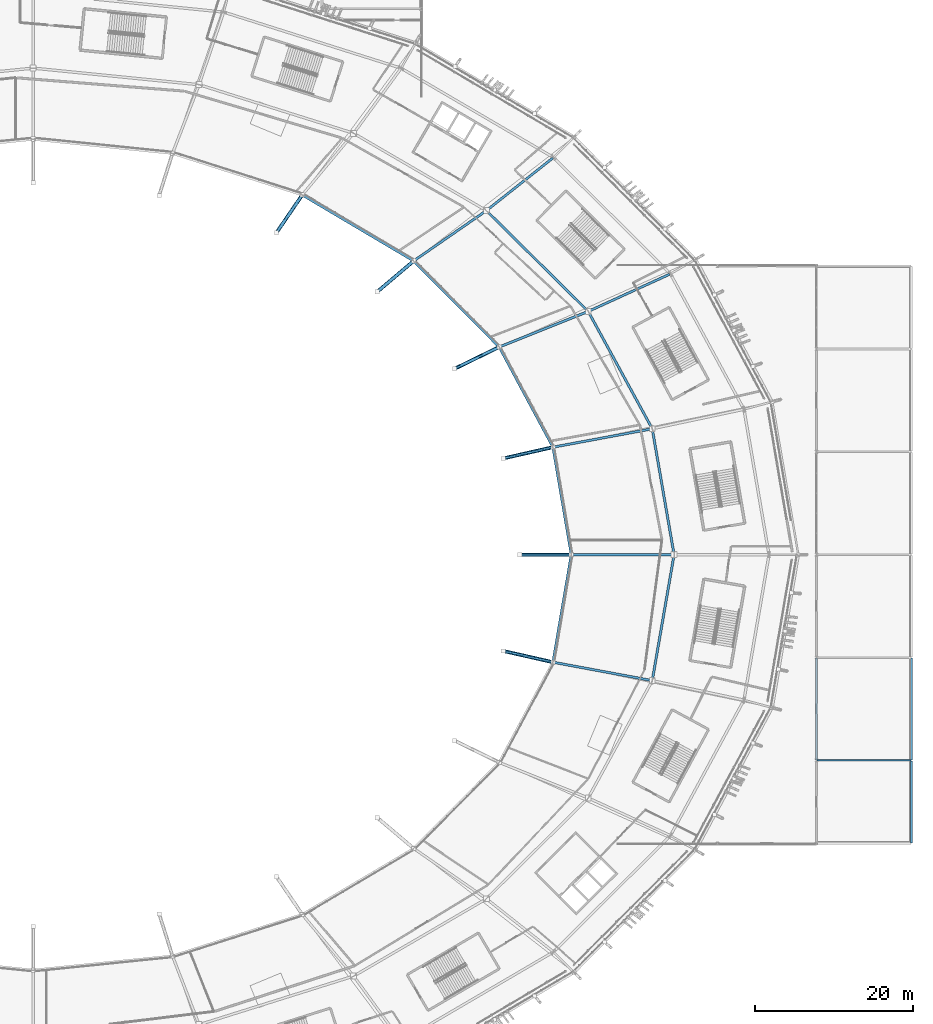
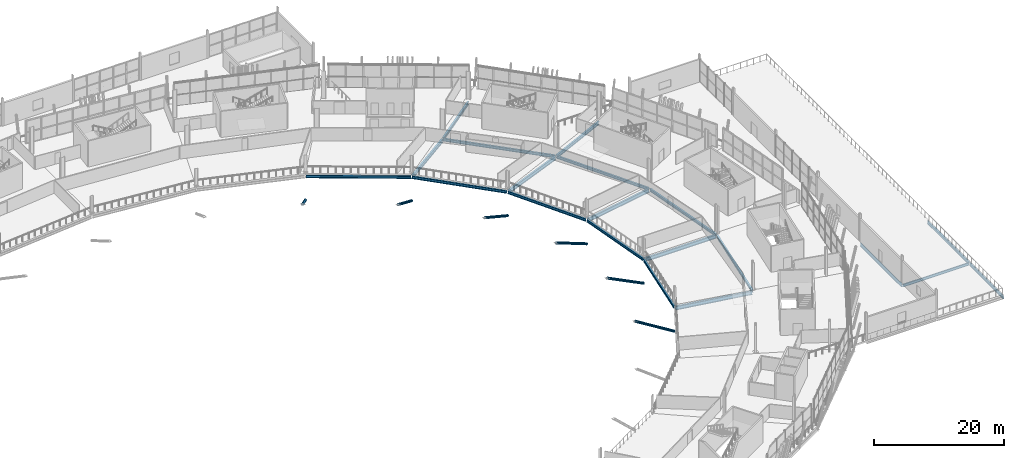
# One storey, part 57 of 168: 20 beams, 6 members.
"""IFC4 building model written with IfcOpenShell, lengths in metres."""

from ifc_helpers import new_model, si_unit, direction, frame, origin, origin_2d, place, context, subcontext, project, spatial, hollow_circle, i_section, extrude, material, material_profile, profile_set, type_object, element, save


model = new_model("IFC4")

# Units and contexts
model_context = context("Model", 3, precision=1e-05, world=origin(), true_north=direction((0.0, 1.0)))
body_context = subcontext(model_context, "Body", "Model", "MODEL_VIEW")
ifc_project = project(units=[si_unit("LENGTHUNIT", "METRE"), si_unit("AREAUNIT", "SQUARE_METRE"), si_unit("VOLUMEUNIT", "CUBIC_METRE"), si_unit("PLANEANGLEUNIT", "RADIAN"), si_unit("MASSUNIT", "GRAM", prefix="KILO")], contexts=[model_context])

# Site, building, storey
site_placement = place(None, origin())
site = spatial("IfcSite", under=ifc_project, at=site_placement, CompositionType="ELEMENT")
building_placement = place(site_placement, origin())
building = spatial("IfcBuilding", under=site, at=building_placement, Name="Zlatoyarsky Gate Stadium", CompositionType="ELEMENT")
storey_placement = place(building_placement, frame((0.0, 0.0, 15.60009765625)))
storey = spatial("IfcBuildingStorey", under=building, at=storey_placement, Name="L03", CompositionType="ELEMENT", Elevation=15.60009765625)

# Members
ifc_material = material(Name="Steel S355", Category="steel")
ifc_material_profile_1 = material_profile(ifc_material, hollow_circle(Radius=0.228515625, WallThickness=0.02490234375, at=origin_2d()), Name="CHS 457X25")
ifc_profile_set_1 = profile_set([ifc_material_profile_1], Name="Steel S355")
member_type = type_object("IfcMemberType", Name="STEEL BACKSPAN TIE STRUT CHS 457X25", PredefinedType="STRUT", material=ifc_profile_set_1)
member_1_placement = place(storey_placement, frame((179.0, 80.0, -5.0), z_axis=(-0.894427191, 0.0, 0.4472135955), x_axis=(0.0, -1.0, 0.0)))
element("IfcMember", 1, at=member_1_placement, inside=storey, type_object=member_type, Name="Upper tier cantilever strut 00", PredefinedType="STRUT", context=body_context, shape_type="SweptSolid", body=[
    extrude(hollow_circle(Radius=0.228515625, WallThickness=0.02490234375, at=origin_2d()), origin(), (0.0, 0.0, 1.0), 7.267333984375),
])
member_2_placement = place(storey_placement, frame((176.68310546875, 93.587890625, -5.0), z_axis=(-0.870615032225, -0.197359267356, 0.450642635857), x_axis=(0.221080190505, -0.97525563283, 0.0)))
element("IfcMember", 2, at=member_2_placement, inside=storey, type_object=member_type, Name="Upper tier cantilever strut 01", PredefinedType="STRUT", context=body_context, shape_type="SweptSolid", body=[
    extrude(hollow_circle(Radius=0.228515625, WallThickness=0.02490234375, at=origin_2d()), origin(), (0.0, 0.0, 1.0), 7.2119140625),
])
member_3_placement = place(storey_placement, frame((169.8896484375, 106.25, -5.0), z_axis=(-0.797580275867, -0.389640639605, 0.46048439226), x_axis=(0.438948714008, -0.898512118154, 0.0)))
element("IfcMember", 3, at=member_3_placement, inside=storey, type_object=member_type, Name="Upper tier cantilever strut 02", PredefinedType="STRUT", context=body_context, shape_type="SweptSolid", body=[
    extrude(hollow_circle(Radius=0.228515625, WallThickness=0.02490234375, at=origin_2d()), origin(), (0.0, 0.0, 1.0), 7.057861328125),
])
member_4_placement = place(storey_placement, frame((159.083251953125, 117.123046875, -5.0), z_axis=(-0.671760825652, -0.568423985586, 0.475006911244), x_axis=(0.645949512336, -0.763380133035, 0.0)))
element("IfcMember", 4, at=member_4_placement, inside=storey, type_object=member_type, Name="Upper tier cantilever strut 03", PredefinedType="STRUT", context=body_context, shape_type="SweptSolid", body=[
    extrude(hollow_circle(Radius=0.228515625, WallThickness=0.02490234375, at=origin_2d()), origin(), (0.0, 0.0, 1.0), 6.842041015625),
])
member_5_placement = place(storey_placement, frame((145.0, 125.46630859375, -5.0), z_axis=(-0.491000881553, -0.719608413394, 0.491000881553), x_axis=(0.826035604604, -0.563617937903, 0.0)))
element("IfcMember", 5, at=member_5_placement, inside=storey, type_object=member_type, Name="Upper tier cantilever strut 04", PredefinedType="STRUT", context=body_context, shape_type="SweptSolid", body=[
    extrude(hollow_circle(Radius=0.228515625, WallThickness=0.02490234375, at=origin_2d()), origin(), (0.0, 0.0, 1.0), 6.619140625),
])
member_6_placement = place(storey_placement, frame((176.68310546875, 66.412109375, -5.0), z_axis=(-0.870615032225, 0.197359267356, 0.450642635857), x_axis=(-0.221080190505, -0.97525563283, 0.0)))
element("IfcMember", 6, at=member_6_placement, inside=storey, type_object=member_type, Name="Upper tier cantilever strut 23", PredefinedType="STRUT", context=body_context, shape_type="SweptSolid", body=[
    extrude(hollow_circle(Radius=0.228515625, WallThickness=0.02490234375, at=origin_2d()), origin(), (0.0, 0.0, 1.0), 7.2119140625),
])

# Beams
ifc_material_profile_2 = material_profile(ifc_material, i_section(OverallWidth=0.199951171875, OverallDepth=0.5, WebThickness=0.01025390625, FlangeThickness=0.01611328125, FilletRadius=0.02099609375, at=origin_2d()), Name="IPE 500")
ifc_profile_set_2 = profile_set([ifc_material_profile_2], Name="Steel S355")
beam_type_1 = type_object("IfcBeamType", Name="STEEL FLOOR BEAM IPE 500", PredefinedType="BEAM", material=ifc_profile_set_2)
beam_1_placement = place(storey_placement, frame((210.080078125, 54.0, -0.570068359375), z_axis=(1.0, 0.0, 0.0), x_axis=(0.0, 1.0, 0.0)))
element("IfcBeam", 7, at=beam_1_placement, inside=storey, type_object=beam_type_1, Name="Beam B-IPE500 BM-L03-WGX-18-F", PredefinedType="BEAM", context=body_context, shape_type="SweptSolid", body=[
    extrude(i_section(OverallWidth=0.199951171875, OverallDepth=0.5, WebThickness=0.01025390625, FlangeThickness=0.01611328125, FilletRadius=0.02099609375, at=origin_2d()), origin(), (0.0, 0.0, 1.0), 11.83984375),
])
ifc_material_profile_3 = material_profile(ifc_material, i_section(OverallWidth=0.2099609375, OverallDepth=0.550048828125, WebThickness=0.010986328125, FlangeThickness=0.01708984375, FilletRadius=0.02392578125, at=origin_2d()), Name="IPE 550")
ifc_profile_set_3 = profile_set([ifc_material_profile_3], Name="Steel S355")
beam_type_2 = type_object("IfcBeamType", Name="STEEL FLOOR BEAM IPE 550", PredefinedType="BEAM", material=ifc_profile_set_3)
beam_2_placement = place(storey_placement, frame((210.0, 54.080078125, -0.59521484375), z_axis=(0.0, 1.0, 0.0), x_axis=(-1.0, 0.0, 0.0)))
element("IfcBeam", 8, at=beam_2_placement, inside=storey, type_object=beam_type_2, Name="Beam B-IPE550 BM-L03-WGY-18-F", PredefinedType="BEAM", context=body_context, shape_type="SweptSolid", body=[
    extrude(i_section(OverallWidth=0.2099609375, OverallDepth=0.550048828125, WebThickness=0.010986328125, FlangeThickness=0.01708984375, FilletRadius=0.02392578125, at=origin_2d()), origin(), (0.0, 0.0, 1.0), 12.83984375),
])
beam_3_placement = place(storey_placement, frame((222.0, 43.580078125, -0.59521484375), z_axis=(0.0, 1.0, 0.0), x_axis=(-1.0, 0.0, 0.0)))
element("IfcBeam", 9, at=beam_3_placement, inside=storey, type_object=beam_type_2, Name="Beam B-IPE550 BM-L03-WGY-19-E", PredefinedType="BEAM", context=body_context, shape_type="SweptSolid", body=[
    extrude(i_section(OverallWidth=0.2099609375, OverallDepth=0.550048828125, WebThickness=0.010986328125, FlangeThickness=0.01708984375, FilletRadius=0.02392578125, at=origin_2d()), origin(), (0.0, 0.0, 1.0), 10.33984375),
])
beam_4_placement = place(storey_placement, frame((222.0, 54.080078125, -0.59521484375), z_axis=(0.0, 1.0, 0.0), x_axis=(-1.0, 0.0, 0.0)))
element("IfcBeam", 10, at=beam_4_placement, inside=storey, type_object=beam_type_2, Name="Beam B-IPE550 BM-L03-WGY-19-F", PredefinedType="BEAM", context=body_context, shape_type="SweptSolid", body=[
    extrude(i_section(OverallWidth=0.2099609375, OverallDepth=0.550048828125, WebThickness=0.010986328125, FlangeThickness=0.01708984375, FilletRadius=0.02392578125, at=origin_2d()), origin(), (0.0, 0.0, 1.0), 12.83984375),
])
ifc_material_profile_4 = material_profile(ifc_material, i_section(OverallWidth=0.300048828125, OverallDepth=0.5, WebThickness=0.014404296875, FlangeThickness=0.028076171875, FilletRadius=0.027099609375, at=origin_2d()), Name="HEB 500")
ifc_profile_set_4 = profile_set([ifc_material_profile_4], Name="Steel S355")
beam_type_3 = type_object("IfcBeamType", Name="STEEL PRIMARY GIRDER HEB 500", PredefinedType="BEAM", material=ifc_profile_set_4)
beam_5_placement = place(storey_placement, frame((178.979736328125, 80.118408203125, -0.530029296875), z_axis=(-0.168089694981, 0.985771705032, 0.0), x_axis=(-0.985771705032, -0.168089694981, 0.0)))
element("IfcBeam", 11, at=beam_5_placement, inside=storey, type_object=beam_type_3, Name="Beam G-HEB500 BM-L03-CRA-00", PredefinedType="BEAM", context=body_context, shape_type="SweptSolid", body=[
    extrude(i_section(OverallWidth=0.300048828125, OverallDepth=0.5, WebThickness=0.014404296875, FlangeThickness=0.028076171875, FilletRadius=0.027099609375, at=origin_2d()), origin(), (0.0, 0.0, 1.0), 13.5439453125),
])
beam_6_placement = place(storey_placement, frame((191.9794921875, 80.1181640625, -0.530029296875), z_axis=(-0.170843315562, 0.985298209441, 0.0), x_axis=(-0.985298209441, -0.170843315562, 0.0)))
element("IfcBeam", 12, at=beam_6_placement, inside=storey, type_object=beam_type_3, Name="Beam G-HEB500 BM-L03-CRB-00", PredefinedType="BEAM", context=body_context, shape_type="SweptSolid", body=[
    extrude(i_section(OverallWidth=0.300048828125, OverallDepth=0.5, WebThickness=0.014404296875, FlangeThickness=0.028076171875, FilletRadius=0.027099609375, at=origin_2d()), origin(), (0.0, 0.0, 1.0), 15.9150390625),
])
beam_7_placement = place(storey_placement, frame((176.626220703125, 93.693603515625, -0.530029296875), z_axis=(-0.472766984781, 0.881187481812, 0.0), x_axis=(-0.881187481812, -0.472766984781, 0.0)))
element("IfcBeam", 13, at=beam_7_placement, inside=storey, type_object=beam_type_3, Name="Beam G-HEB500 BM-L03-CRA-01", PredefinedType="BEAM", context=body_context, shape_type="SweptSolid", body=[
    extrude(i_section(OverallWidth=0.300048828125, OverallDepth=0.5, WebThickness=0.014404296875, FlangeThickness=0.028076171875, FilletRadius=0.027099609375, at=origin_2d()), origin(), (0.0, 0.0, 1.0), 14.12939453125),
])
beam_8_placement = place(storey_placement, frame((189.1826171875, 96.022705078125, -0.530029296875), z_axis=(-0.478915800408, 0.877860840976, 0.0), x_axis=(-0.877860840976, -0.478915800408, 0.0)))
element("IfcBeam", 14, at=beam_8_placement, inside=storey, type_object=beam_type_3, Name="Beam G-HEB500 BM-L03-CRB-01", PredefinedType="BEAM", context=body_context, shape_type="SweptSolid", body=[
    extrude(i_section(OverallWidth=0.300048828125, OverallDepth=0.5, WebThickness=0.014404296875, FlangeThickness=0.028076171875, FilletRadius=0.027099609375, at=origin_2d()), origin(), (0.0, 0.0, 1.0), 16.656494140625),
])
beam_9_placement = place(storey_placement, frame((169.80517578125, 106.335205078125, -0.530029296875), z_axis=(-0.704927331607, 0.709279533861, 0.0), x_axis=(-0.709279533861, -0.704927331607, 0.0)))
element("IfcBeam", 15, at=beam_9_placement, inside=storey, type_object=beam_type_3, Name="Beam G-HEB500 BM-L03-CRA-02", PredefinedType="BEAM", context=body_context, shape_type="SweptSolid", body=[
    extrude(i_section(OverallWidth=0.300048828125, OverallDepth=0.5, WebThickness=0.014404296875, FlangeThickness=0.028076171875, FilletRadius=0.027099609375, at=origin_2d()), origin(), (0.0, 0.0, 1.0), 15.08984375),
])
beam_10_placement = place(storey_placement, frame((181.062744140625, 110.83447265625, -0.530029296875), z_axis=(-0.710840510009, 0.703353232259, 0.0), x_axis=(-0.703353232259, -0.710840510009, 0.0)))
element("IfcBeam", 16, at=beam_10_placement, inside=storey, type_object=beam_type_3, Name="Beam G-HEB500 BM-L03-CRB-02", PredefinedType="BEAM", context=body_context, shape_type="SweptSolid", body=[
    extrude(i_section(OverallWidth=0.300048828125, OverallDepth=0.5, WebThickness=0.014404296875, FlangeThickness=0.028076171875, FilletRadius=0.027099609375, at=origin_2d()), origin(), (0.0, 0.0, 1.0), 17.868896484375),
])
beam_11_placement = place(storey_placement, frame((158.97998046875, 117.184326171875, -0.530029296875), z_axis=(-0.860360371321, 0.50968620882, 0.0), x_axis=(-0.50968620882, -0.860360371321, 0.0)))
element("IfcBeam", 17, at=beam_11_placement, inside=storey, type_object=beam_type_3, Name="Beam G-HEB500 BM-L03-CRA-03", PredefinedType="BEAM", context=body_context, shape_type="SweptSolid", body=[
    extrude(i_section(OverallWidth=0.300048828125, OverallDepth=0.5, WebThickness=0.014404296875, FlangeThickness=0.028076171875, FilletRadius=0.027099609375, at=origin_2d()), origin(), (0.0, 0.0, 1.0), 16.12890625),
])
beam_12_placement = place(storey_placement, frame((176.703125, 66.5302734375, -0.530029296875), z_axis=(0.168089694981, 0.985771705032, 0.0), x_axis=(-0.985771705032, 0.168089694981, 0.0)))
element("IfcBeam", 18, at=beam_12_placement, inside=storey, type_object=beam_type_3, Name="Beam G-HEB500 BM-L03-CRA-23", PredefinedType="BEAM", context=body_context, shape_type="SweptSolid", body=[
    extrude(i_section(OverallWidth=0.300048828125, OverallDepth=0.5, WebThickness=0.014404296875, FlangeThickness=0.028076171875, FilletRadius=0.027099609375, at=origin_2d()), origin(), (0.0, 0.0, 1.0), 13.5439453125),
])
beam_13_placement = place(storey_placement, frame((189.260498046875, 64.20068359375, -0.530029296875), z_axis=(0.170843315562, 0.985298209441, 0.0), x_axis=(-0.985298209441, 0.170843315562, 0.0)))
element("IfcBeam", 19, at=beam_13_placement, inside=storey, type_object=beam_type_3, Name="Beam G-HEB500 BM-L03-CRB-23", PredefinedType="BEAM", context=body_context, shape_type="SweptSolid", body=[
    extrude(i_section(OverallWidth=0.300048828125, OverallDepth=0.5, WebThickness=0.014404296875, FlangeThickness=0.028076171875, FilletRadius=0.027099609375, at=origin_2d()), origin(), (0.0, 0.0, 1.0), 15.9150390625),
])
ifc_material_profile_5 = material_profile(ifc_material, i_section(OverallWidth=0.300048828125, OverallDepth=0.60009765625, WebThickness=0.015380859375, FlangeThickness=0.030029296875, FilletRadius=0.027099609375, at=origin_2d()), Name="HEB 600")
ifc_profile_set_5 = profile_set([ifc_material_profile_5], Name="Steel S355")
beam_type_4 = type_object("IfcBeamType", Name="STEEL PRIMARY GIRDER HEB 600", PredefinedType="BEAM", material=ifc_profile_set_5)
beam_14_placement = place(storey_placement, frame((181.257080078125, 110.7998046875, -0.580078125), z_axis=(0.909498994842, 0.415706120213, 0.0), x_axis=(-0.415706120213, 0.909498994842, 0.0)))
element("IfcBeam", 20, at=beam_14_placement, inside=storey, type_object=beam_type_4, Name="Beam G-HEB600 BM-L03-RBC-02", PredefinedType="BEAM", context=body_context, shape_type="SweptSolid", body=[
    extrude(i_section(OverallWidth=0.300048828125, OverallDepth=0.60009765625, WebThickness=0.015380859375, FlangeThickness=0.030029296875, FilletRadius=0.027099609375, at=origin_2d()), origin(), (0.0, 0.0, 1.0), 11.186767578125),
])
beam_15_placement = place(storey_placement, frame((168.36962890625, 123.5615234375, -0.580078125), z_axis=(0.78404348542, 0.620705898933, 0.0), x_axis=(-0.620705898933, 0.78404348542, 0.0)))
element("IfcBeam", 21, at=beam_15_placement, inside=storey, type_object=beam_type_4, Name="Beam G-HEB600 BM-L03-RBC-03", PredefinedType="BEAM", context=body_context, shape_type="SweptSolid", body=[
    extrude(i_section(OverallWidth=0.300048828125, OverallDepth=0.60009765625, WebThickness=0.015380859375, FlangeThickness=0.030029296875, FilletRadius=0.027099609375, at=origin_2d()), origin(), (0.0, 0.0, 1.0), 10.58251953125),
])
ifc_material_profile_6 = material_profile(ifc_material, i_section(OverallWidth=0.300048828125, OverallDepth=0.699951171875, WebThickness=0.01708984375, FlangeThickness=0.031982421875, FilletRadius=0.027099609375, at=origin_2d()), Name="HEB 700")
ifc_profile_set_6 = profile_set([ifc_material_profile_6], Name="Steel S355")
beam_type_5 = type_object("IfcBeamType", Name="STEEL PRIMARY GIRDER HEB 700", PredefinedType="BEAM", material=ifc_profile_set_6)
beam_16_placement = place(storey_placement, frame((179.1201171875, 80.0, -0.630126953125), z_axis=(1.0, 0.0, 0.0), x_axis=(0.0, 1.0, 0.0)))
element("IfcBeam", 22, at=beam_16_placement, inside=storey, type_object=beam_type_5, Name="Beam G-HEB700 BM-L03-RAB-00", PredefinedType="BEAM", context=body_context, shape_type="SweptSolid", body=[
    extrude(i_section(OverallWidth=0.300048828125, OverallDepth=0.699951171875, WebThickness=0.01708984375, FlangeThickness=0.031982421875, FilletRadius=0.027099609375, at=origin_2d()), origin(), (0.0, 0.0, 1.0), 12.759765625),
])
beam_17_placement = place(storey_placement, frame((176.801025390625, 93.60986328125, -0.630126953125), z_axis=(0.98322524088, 0.182395519946, 0.0), x_axis=(-0.182395519946, 0.98322524088, 0.0)))
element("IfcBeam", 23, at=beam_17_placement, inside=storey, type_object=beam_type_5, Name="Beam G-HEB700 BM-L03-RAB-01", PredefinedType="BEAM", context=body_context, shape_type="SweptSolid", body=[
    extrude(i_section(OverallWidth=0.300048828125, OverallDepth=0.699951171875, WebThickness=0.01708984375, FlangeThickness=0.031982421875, FilletRadius=0.027099609375, at=origin_2d()), origin(), (0.0, 0.0, 1.0), 12.53125),
])
beam_18_placement = place(storey_placement, frame((170.001220703125, 106.29443359375, -0.630126953125), z_axis=(0.928564503985, 0.371171068295, 0.0), x_axis=(-0.371171068295, 0.928564503985, 0.0)))
element("IfcBeam", 24, at=beam_18_placement, inside=storey, type_object=beam_type_5, Name="Beam G-HEB700 BM-L03-RAB-02", PredefinedType="BEAM", context=body_context, shape_type="SweptSolid", body=[
    extrude(i_section(OverallWidth=0.300048828125, OverallDepth=0.699951171875, WebThickness=0.01708984375, FlangeThickness=0.031982421875, FilletRadius=0.027099609375, at=origin_2d()), origin(), (0.0, 0.0, 1.0), 11.88427734375),
])
beam_19_placement = place(storey_placement, frame((159.181884765625, 117.19140625, -0.630126953125), z_axis=(0.822196208432, 0.569204176758, 0.0), x_axis=(-0.569204176758, 0.822196208432, 0.0)))
element("IfcBeam", 25, at=beam_19_placement, inside=storey, type_object=beam_type_5, Name="Beam G-HEB700 BM-L03-RAB-03", PredefinedType="BEAM", context=body_context, shape_type="SweptSolid", body=[
    extrude(i_section(OverallWidth=0.300048828125, OverallDepth=0.699951171875, WebThickness=0.01708984375, FlangeThickness=0.031982421875, FilletRadius=0.027099609375, at=origin_2d()), origin(), (0.0, 0.0, 1.0), 10.9404296875),
])
beam_20_placement = place(storey_placement, frame((176.801025390625, 66.39013671875, -0.630126953125), z_axis=(0.98322524088, -0.182395519946, 0.0), x_axis=(0.182395519946, 0.98322524088, 0.0)))
element("IfcBeam", 26, at=beam_20_placement, inside=storey, type_object=beam_type_5, Name="Beam G-HEB700 BM-L03-RAB-23", PredefinedType="BEAM", context=body_context, shape_type="SweptSolid", body=[
    extrude(i_section(OverallWidth=0.300048828125, OverallDepth=0.699951171875, WebThickness=0.01708984375, FlangeThickness=0.031982421875, FilletRadius=0.027099609375, at=origin_2d()), origin(), (0.0, 0.0, 1.0), 12.53125),
])

save(model, "model.ifc")
